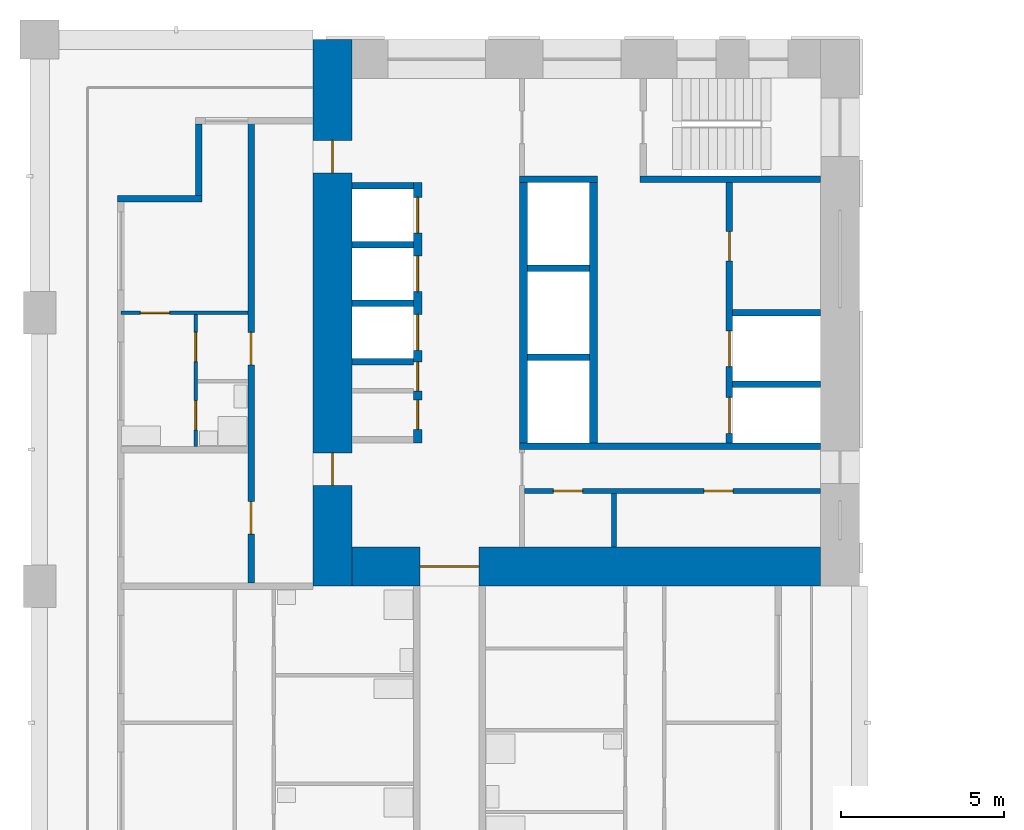
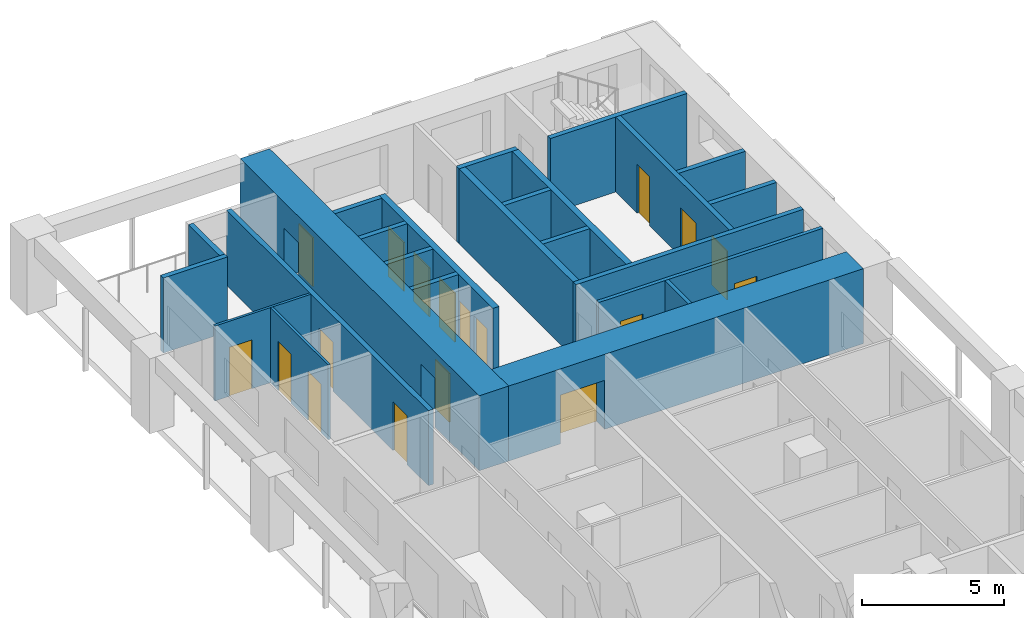
# One storey, part 7 of 16: 24 walls, 18 doors, 18 openings.
"""IFC4 building model written with IfcOpenShell, lengths in metres."""

from ifc_helpers import new_model, si_unit, direction, frame, frame_2d, origin, place, context, subcontext, project, spatial, rectangle, extrude, material, layer, layer_set, type_object, element, fill, save


model = new_model("IFC4")

# Units and contexts
model_context = context("Model", 3, precision=1e-05, world=origin(), true_north=direction((0.0, 1.0)))
body_context = subcontext(model_context, "Body", "Model", "MODEL_VIEW")
ifc_project = project(units=[si_unit("LENGTHUNIT", "METRE"), si_unit("AREAUNIT", "SQUARE_METRE"), si_unit("VOLUMEUNIT", "CUBIC_METRE"), si_unit("PLANEANGLEUNIT", "RADIAN"), si_unit("MASSUNIT", "GRAM", prefix="KILO")], contexts=[model_context])

# Site, building, storey
site_placement = place(None, origin())
site = spatial("IfcSite", under=ifc_project, at=site_placement, CompositionType="ELEMENT")
building_placement = place(site_placement, origin())
building = spatial("IfcBuilding", under=site, at=building_placement, Name="Vermilion Gate Residences", CompositionType="ELEMENT")
storey_placement = place(building_placement, frame((0.0, 0.0, 126.699951171875)))
storey = spatial("IfcBuildingStorey", under=building, at=storey_placement, Name="L32", CompositionType="ELEMENT", Elevation=126.699951171875)

# Wall
ifc_material_1 = material(Name="Masonry blockwork", Category="masonry")
ifc_layer_1 = layer(ifc_material_1, 0.14990234375)
ifc_layer_set_1 = layer_set([ifc_layer_1], Name="BLOCKWORK PARTITION 150 EI 120")
wall_type_1 = type_object("IfcWallType", Name="BLOCKWORK PARTITION 150 EI 120", PredefinedType="PARTITIONING", material=ifc_layer_set_1)
wall_1_placement = place(storey_placement, frame((17.659912109375, 44.85009765625, 0.0), z_axis=(0.0, 0.0, 1.0), x_axis=(0.0, -1.0, 0.0)))
element("IfcWall", 1, at=wall_1_placement, inside=storey, type_object=wall_type_1, Name="Core room partition B32-ES-P0", PredefinedType="PARTITIONING", context=body_context, shape_type="SweptSolid", body=[
    extrude(rectangle(XDim=1.650146484375, YDim=0.14990234375, at=frame_2d((0.8251953125, 0.0))), origin(), (0.0, 0.0, 1.0), 3.219970703125),
])

# Wall, openings, doors
wall_2_placement = place(storey_placement, frame((14.89990234375, 44.925048828125, 0.0), z_axis=(0.0, 0.0, 1.0), x_axis=(1.0, 0.0, 0.0)))
wall_2 = element("IfcWall", 2, at=wall_2_placement, inside=storey, type_object=wall_type_1, Name="Core room partition B32-ES-W", PredefinedType="PARTITIONING", context=body_context, shape_type="SweptSolid", body=[
    extrude(rectangle(XDim=9.10009765625, YDim=0.14990234375, at=frame_2d((4.550048828125, 0.0))), origin(), (0.0, 0.0, 1.0), 3.219970703125),
])
opening_1_placement = place(wall_2_placement, frame((0.892578125, 0.0, 0.0)))
opening_1 = element("IfcOpeningElement", 3, at=opening_1_placement, cuts=wall_2, Name="Opening DK32115", PredefinedType="OPENING", context=body_context, shape_type="SweptSolid", body=[
    extrude(rectangle(XDim=0.89990234375, YDim=2.10009765625, at=frame_2d((0.449951171875, 1.050048828125))), frame((0.0, 0.0849609375, 0.0), z_axis=(0.0, -1.0, 0.0), x_axis=(1.0, 0.0, 0.0)), (0.0, 0.0, 1.0), 0.169921875),
])
opening_2_placement = place(wall_2_placement, frame((5.517578125, 0.0, 0.0)))
opening_2 = element("IfcOpeningElement", 4, at=opening_2_placement, cuts=wall_2, Name="Opening DK32116", PredefinedType="OPENING", context=body_context, shape_type="SweptSolid", body=[
    extrude(rectangle(XDim=0.89990234375, YDim=2.10009765625, at=frame_2d((0.449951171875, 1.050048828125))), frame((0.0, 0.0849609375, 0.0), z_axis=(0.0, -1.0, 0.0), x_axis=(1.0, 0.0, 0.0)), (0.0, 0.0, 1.0), 0.169921875),
])
ifc_material_2 = material(Name="Steel", Category="steel")
door_type_1 = type_object("IfcDoorType", Name="SERVICE ROOM DOOR FD60 900 X 2100", OperationType="SINGLE_SWING_LEFT", PredefinedType="DOOR", material=ifc_material_2)
door_1_placement = place(opening_1_placement, frame((0.89990234375, 0.0, 0.0), z_axis=(0.0, 0.0, 1.0), x_axis=(-1.0, 0.0, 0.0)))
door_1 = element("IfcDoor", 5, at=door_1_placement, inside=storey, type_object=door_type_1, Name="Electrical room B32", OperationType="SINGLE_SWING_RIGHT", OverallHeight=2.10009765625, OverallWidth=0.89990234375, PredefinedType="DOOR", context=body_context, shape_type="SweptSolid", body=[
    extrude(rectangle(XDim=0.89990234375, YDim=2.10009765625, at=frame_2d((0.449951171875, 1.050048828125))), frame((0.0, 0.02490234375, 0.0), z_axis=(0.0, -1.0, 0.0), x_axis=(1.0, 0.0, 0.0)), (0.0, 0.0, 1.0), 0.050048828125),
])
fill(opening_1, door_1)
door_2_placement = place(opening_2_placement, frame((0.89990234375, 0.0, 0.0), z_axis=(0.0, 0.0, 1.0), x_axis=(-1.0, 0.0, 0.0)))
door_2 = element("IfcDoor", 6, at=door_2_placement, inside=storey, type_object=door_type_1, Name="Storage room B32", OperationType="SINGLE_SWING_LEFT", OverallHeight=2.10009765625, OverallWidth=0.89990234375, PredefinedType="DOOR", context=body_context, shape_type="SweptSolid", body=[
    extrude(rectangle(XDim=0.89990234375, YDim=2.10009765625, at=frame_2d((0.449951171875, 1.050048828125))), frame((0.0, 0.02490234375, 0.0), z_axis=(0.0, -1.0, 0.0), x_axis=(1.0, 0.0, 0.0)), (0.0, 0.0, 1.0), 0.050048828125),
])
fill(opening_2, door_2)

# Walls
ifc_material_3 = material(Name="Insulated steel stud wall with terracotta rainscreen", Category="masonry")
ifc_layer_2 = layer(ifc_material_3, 0.199951171875)
ifc_layer_set_2 = layer_set([ifc_layer_2], Name="EXTERNAL WALL 200 TERRACOTTA RAINSCREEN")
wall_type_2 = type_object("IfcWallType", Name="EXTERNAL WALL 200 TERRACOTTA RAINSCREEN", PredefinedType="SOLIDWALL", material=ifc_layer_set_2)
wall_3_placement = place(storey_placement, frame((4.89990234375, 56.199951171875, 0.0), z_axis=(0.0, 0.0, 1.0), x_axis=(0.0, -1.0, 0.0)))
element("IfcWall", 7, at=wall_3_placement, inside=storey, type_object=wall_type_2, Name="External wall", PredefinedType="SOLIDWALL", context=body_context, shape_type="SweptSolid", body=[
    extrude(rectangle(XDim=2.199951171875, YDim=0.199951171875, at=frame_2d((1.10009765625, 0.0))), origin(), (0.0, 0.0, 1.0), 3.219970703125),
])
wall_4_placement = place(storey_placement, frame((5.0, 53.89990234375, 0.0), z_axis=(0.0, 0.0, 1.0), x_axis=(-1.0, 0.0, 0.0)))
element("IfcWall", 8, at=wall_4_placement, inside=storey, type_object=wall_type_2, Name="External wall", PredefinedType="SOLIDWALL", context=body_context, shape_type="SweptSolid", body=[
    extrude(rectangle(XDim=2.60009765625, YDim=0.199951171875, at=frame_2d((1.300048828125, 0.0))), origin(), (0.0, 0.0, 1.0), 3.219970703125),
])

# Wall, opening, door
ifc_material_4 = material(Name="Plasterboard on steel studs", Category="steel")
ifc_layer_3 = layer(ifc_material_4, 0.10009765625)
ifc_layer_set_3 = layer_set([ifc_layer_3], Name="PARTITION 100")
wall_type_3 = type_object("IfcWallType", Name="PARTITION 100", PredefinedType="PARTITIONING", material=ifc_layer_set_3)
wall_5_placement = place(storey_placement, frame((2.5, 50.39990234375, 0.0), z_axis=(0.0, 0.0, 1.0), x_axis=(1.0, 0.0, 0.0)))
wall_5 = element("IfcWall", 9, at=wall_5_placement, inside=storey, type_object=wall_type_3, Name="Partition", PredefinedType="PARTITIONING", context=body_context, shape_type="SweptSolid", body=[
    extrude(rectangle(XDim=3.89990234375, YDim=0.10009765625, at=frame_2d((1.949951171875, 0.0))), origin(), (0.0, 0.0, 1.0), 3.219970703125),
])
opening_3_placement = place(wall_5_placement, frame((0.60009765625, 0.0, 0.0)))
opening_3 = element("IfcOpeningElement", 10, at=opening_3_placement, cuts=wall_5, Name="Opening DA32017", PredefinedType="OPENING", context=body_context, shape_type="SweptSolid", body=[
    extrude(rectangle(XDim=0.89990234375, YDim=2.10009765625, at=frame_2d((0.449951171875, 1.050048828125))), frame((0.0, 0.06005859375, 0.0), z_axis=(0.0, -1.0, 0.0), x_axis=(1.0, 0.0, 0.0)), (0.0, 0.0, 1.0), 0.1201171875),
])
ifc_material_5 = material(Name="Timber", Category="wood")
door_type_2 = type_object("IfcDoorType", Name="INTERIOR DOOR 900 X 2100", OperationType="SINGLE_SWING_LEFT", PredefinedType="DOOR", material=ifc_material_5)
door_3_placement = place(opening_3_placement, frame((0.89990234375, 0.0, 0.0), z_axis=(0.0, 0.0, 1.0), x_axis=(-1.0, 0.0, 0.0)))
door_3 = element("IfcDoor", 11, at=door_3_placement, inside=storey, type_object=door_type_2, Name="Interior door", OperationType="SINGLE_SWING_RIGHT", OverallHeight=2.10009765625, OverallWidth=0.89990234375, PredefinedType="DOOR", context=body_context, shape_type="SweptSolid", body=[
    extrude(rectangle(XDim=0.89990234375, YDim=2.10009765625, at=frame_2d((0.449951171875, 1.050048828125))), frame((0.0, 0.02490234375, 0.0), z_axis=(0.0, -1.0, 0.0), x_axis=(1.0, 0.0, 0.0)), (0.0, 0.0, 1.0), 0.050048828125),
])
fill(opening_3, door_3)

# Wall, openings, doors
wall_6_placement = place(storey_placement, frame((4.800048828125, 46.300048828125, 0.0), z_axis=(0.0, 0.0, 1.0), x_axis=(0.0, 1.0, 0.0)))
wall_6 = element("IfcWall", 12, at=wall_6_placement, inside=storey, type_object=wall_type_3, Name="Partition", PredefinedType="PARTITIONING", context=body_context, shape_type="SweptSolid", body=[
    extrude(rectangle(XDim=4.050048828125, YDim=0.10009765625, at=frame_2d((2.02490234375, 0.0))), origin(), (0.0, 0.0, 1.0), 3.219970703125),
])
opening_4_placement = place(wall_6_placement, frame((2.60009765625, 0.0, 0.0)))
opening_4 = element("IfcOpeningElement", 13, at=opening_4_placement, cuts=wall_6, Name="Opening DA32018", PredefinedType="OPENING", context=body_context, shape_type="SweptSolid", body=[
    extrude(rectangle(XDim=0.89990234375, YDim=2.10009765625, at=frame_2d((0.449951171875, 1.050048828125))), frame((0.0, 0.06005859375, 0.0), z_axis=(0.0, -1.0, 0.0), x_axis=(1.0, 0.0, 0.0)), (0.0, 0.0, 1.0), 0.1201171875),
])
opening_5_placement = place(wall_6_placement, frame((0.5, 0.0, 0.0)))
opening_5 = element("IfcOpeningElement", 14, at=opening_5_placement, cuts=wall_6, Name="Opening DA32019", PredefinedType="OPENING", context=body_context, shape_type="SweptSolid", body=[
    extrude(rectangle(XDim=0.89990234375, YDim=2.10009765625, at=frame_2d((0.449951171875, 1.050048828125))), frame((0.0, 0.06005859375, 0.0), z_axis=(0.0, -1.0, 0.0), x_axis=(1.0, 0.0, 0.0)), (0.0, 0.0, 1.0), 0.1201171875),
])
door_4_placement = place(opening_4_placement, origin())
door_4 = element("IfcDoor", 15, at=door_4_placement, inside=storey, type_object=door_type_2, Name="Interior door", OperationType="SINGLE_SWING_RIGHT", OverallHeight=2.10009765625, OverallWidth=0.89990234375, PredefinedType="DOOR", context=body_context, shape_type="SweptSolid", body=[
    extrude(rectangle(XDim=0.89990234375, YDim=2.10009765625, at=frame_2d((0.449951171875, 1.050048828125))), frame((0.0, 0.02490234375, 0.0), z_axis=(0.0, -1.0, 0.0), x_axis=(1.0, 0.0, 0.0)), (0.0, 0.0, 1.0), 0.050048828125),
])
fill(opening_4, door_4)
door_5_placement = place(opening_5_placement, frame((0.89990234375, 0.0, 0.0), z_axis=(0.0, 0.0, 1.0), x_axis=(-1.0, 0.0, 0.0)))
door_5 = element("IfcDoor", 16, at=door_5_placement, inside=storey, type_object=door_type_2, Name="Interior door", OperationType="SINGLE_SWING_RIGHT", OverallHeight=2.10009765625, OverallWidth=0.89990234375, PredefinedType="DOOR", context=body_context, shape_type="SweptSolid", body=[
    extrude(rectangle(XDim=0.89990234375, YDim=2.10009765625, at=frame_2d((0.449951171875, 1.050048828125))), frame((0.0, 0.02490234375, 0.0), z_axis=(0.0, -1.0, 0.0), x_axis=(1.0, 0.0, 0.0)), (0.0, 0.0, 1.0), 0.050048828125),
])
fill(opening_5, door_5)

ifc_material_6 = material(Name="Fire-rated plasterboard on steel studs", Category="steel")
ifc_layer_4 = layer(ifc_material_6, 0.199951171875)
ifc_layer_set_4 = layer_set([ifc_layer_4], Name="PARTY WALL 200 EI 120")
wall_type_4 = type_object("IfcWallType", Name="PARTY WALL 200 EI 120", PredefinedType="PARTITIONING", material=ifc_layer_set_4)
wall_7_placement = place(storey_placement, frame((6.5, 42.10009765625, 0.0), z_axis=(0.0, 0.0, 1.0), x_axis=(0.0, 1.0, 0.0)))
wall_7 = element("IfcWall", 17, at=wall_7_placement, inside=storey, type_object=wall_type_4, Name="Party and corridor wall", PredefinedType="PARTITIONING", context=body_context, shape_type="SweptSolid", body=[
    extrude(rectangle(XDim=14.199951171875, YDim=0.199951171875, at=frame_2d((7.10009765625, 0.0))), origin(), (0.0, 0.0, 1.0), 3.219970703125),
])
opening_6_placement = place(wall_7_placement, frame((1.5, 0.0, 0.0)))
opening_6 = element("IfcOpeningElement", 18, at=opening_6_placement, cuts=wall_7, Name="Opening DA32024", PredefinedType="OPENING", context=body_context, shape_type="SweptSolid", body=[
    extrude(rectangle(XDim=1.0, YDim=2.10009765625, at=frame_2d((0.5, 1.050048828125))), frame((0.0, 0.10986328125, 0.0), z_axis=(0.0, -1.0, 0.0), x_axis=(1.0, 0.0, 0.0)), (0.0, 0.0, 1.0), 0.219970703125),
])
opening_7_placement = place(wall_7_placement, frame((6.699951171875, 0.0, 0.0)))
opening_7 = element("IfcOpeningElement", 19, at=opening_7_placement, cuts=wall_7, Name="Opening DA32025", PredefinedType="OPENING", context=body_context, shape_type="SweptSolid", body=[
    extrude(rectangle(XDim=1.0, YDim=2.10009765625, at=frame_2d((0.5, 1.050048828125))), frame((0.0, 0.10986328125, 0.0), z_axis=(0.0, -1.0, 0.0), x_axis=(1.0, 0.0, 0.0)), (0.0, 0.0, 1.0), 0.219970703125),
])
ifc_material_7 = material(Name="Steel", Category="steel")
door_type_3 = type_object("IfcDoorType", Name="ENTRANCE DOOR 1000 X 2100 FD30", OperationType="SINGLE_SWING_LEFT", PredefinedType="DOOR", material=ifc_material_7)
door_6_placement = place(opening_6_placement, origin())
door_6 = element("IfcDoor", 20, at=door_6_placement, inside=storey, type_object=door_type_3, Name="Entrance door", OperationType="SINGLE_SWING_LEFT", OverallHeight=2.10009765625, OverallWidth=1.0, PredefinedType="DOOR", context=body_context, shape_type="SweptSolid", body=[
    extrude(rectangle(XDim=1.0, YDim=2.10009765625, at=frame_2d((0.5, 1.050048828125))), frame((0.0, 0.02490234375, 0.0), z_axis=(0.0, -1.0, 0.0), x_axis=(1.0, 0.0, 0.0)), (0.0, 0.0, 1.0), 0.050048828125),
])
fill(opening_6, door_6)
door_7_placement = place(opening_7_placement, origin())
door_7 = element("IfcDoor", 21, at=door_7_placement, inside=storey, type_object=door_type_3, Name="Entrance door", OperationType="SINGLE_SWING_LEFT", OverallHeight=2.10009765625, OverallWidth=1.0, PredefinedType="DOOR", context=body_context, shape_type="SweptSolid", body=[
    extrude(rectangle(XDim=1.0, YDim=2.10009765625, at=frame_2d((0.5, 1.050048828125))), frame((0.0, 0.02490234375, 0.0), z_axis=(0.0, -1.0, 0.0), x_axis=(1.0, 0.0, 0.0)), (0.0, 0.0, 1.0), 0.050048828125),
])
fill(opening_7, door_7)

# Walls
ifc_material_8 = material(Name="Concrete C60", Category="concrete")
ifc_layer_5 = layer(ifc_material_8, 0.199951171875)
ifc_layer_set_5 = layer_set([ifc_layer_5], Name="RC CORE INTERNAL WALL 200 C60")
wall_type_5 = type_object("IfcWallType", Name="RC CORE INTERNAL WALL 200 C60", PredefinedType="SHEAR", material=ifc_layer_set_5)
for number, where, z_axis, x_axis, name in (
    (22, (9.60009765625, 54.300048828125, 0.0), (0.0, 0.0, 1.0), (1.0, 0.0, 0.0), "Core internal wall B32-LR-D0"),
    (23, (9.60009765625, 52.5, 0.0), (0.0, 0.0, 1.0), (1.0, 0.0, 0.0), "Core internal wall B32-LR-D1"),
    (24, (9.60009765625, 50.699951171875, 0.0), (0.0, 0.0, 1.0), (1.0, 0.0, 0.0), "Core internal wall B32-LR-D2"),
    (25, (9.60009765625, 48.89990234375, 0.0), (0.0, 0.0, 1.0), (1.0, 0.0, 0.0), "Core internal wall B32-LR-D3"),
    (26, (15.0, 51.7666015625, 0.0), (0.0, 0.0, 1.0), (1.0, 0.0, 0.0), "Core internal wall B32-HR-D1"),
    (27, (15.0, 49.033447265625, 0.0), (0.0, 0.0, 1.0), (1.0, 0.0, 0.0), "Core internal wall B32-HR-D2"),
):
    element("IfcWall", number, at=place(storey_placement, frame(where, z_axis=z_axis, x_axis=x_axis)), inside=storey, type_object=wall_type_5, Name=name, PredefinedType="SHEAR", context=body_context, shape_type="SweptSolid", body=[
        extrude(rectangle(XDim=1.89990234375, YDim=0.199951171875, at=frame_2d((0.949951171875, 0.0))), origin(), (0.0, 0.0, 1.0), 3.219970703125),
    ])
for number, where, z_axis, x_axis, name in (
    (28, (21.300048828125, 50.39990234375, 0.0), (0.0, 0.0, 1.0), (1.0, 0.0, 0.0), "Core internal wall B32-FF-D0"),
    (29, (21.300048828125, 48.199951171875, 0.0), (0.0, 0.0, 1.0), (1.0, 0.0, 0.0), "Core internal wall B32-FF-D1"),
):
    element("IfcWall", number, at=place(storey_placement, frame(where, z_axis=z_axis, x_axis=x_axis)), inside=storey, type_object=wall_type_5, Name=name, PredefinedType="SHEAR", context=body_context, shape_type="SweptSolid", body=[
        extrude(rectangle(XDim=2.699951171875, YDim=0.199951171875, at=frame_2d((1.35009765625, 0.0))), origin(), (0.0, 0.0, 1.0), 3.219970703125),
    ])

# Wall, openings, doors
wall_8_placement = place(storey_placement, frame((21.199951171875, 54.39990234375, 0.0), z_axis=(0.0, 0.0, 1.0), x_axis=(0.0, -1.0, 0.0)))
wall_8 = element("IfcWall", 30, at=wall_8_placement, inside=storey, type_object=wall_type_5, Name="Core internal wall B32-FF-F", PredefinedType="SHEAR", context=body_context, shape_type="SweptSolid", body=[
    extrude(rectangle(XDim=8.0, YDim=0.199951171875, at=frame_2d((4.0, 0.0))), origin(), (0.0, 0.0, 1.0), 3.219970703125),
])
opening_8_placement = place(wall_8_placement, frame((1.5, 0.0, 0.0)))
opening_8 = element("IfcOpeningElement", 31, at=opening_8_placement, cuts=wall_8, Name="Opening DK32109", PredefinedType="OPENING", context=body_context, shape_type="SweptSolid", body=[
    extrude(rectangle(XDim=0.89990234375, YDim=2.10009765625, at=frame_2d((0.449951171875, 1.050048828125))), frame((0.0, 0.10986328125, 0.0), z_axis=(0.0, -1.0, 0.0), x_axis=(1.0, 0.0, 0.0)), (0.0, 0.0, 1.0), 0.219970703125),
])
opening_9_placement = place(wall_8_placement, frame((4.550048828125, 0.0, 0.0)))
opening_9 = element("IfcOpeningElement", 32, at=opening_9_placement, cuts=wall_8, Name="Opening LD", PredefinedType="OPENING", context=body_context, shape_type="SweptSolid", body=[
    extrude(rectangle(XDim=1.10009765625, YDim=2.10009765625, at=frame_2d((0.550048828125, 1.050048828125))), frame((0.0, 0.10986328125, 0.0), z_axis=(0.0, -1.0, 0.0), x_axis=(1.0, 0.0, 0.0)), (0.0, 0.0, 1.0), 0.219970703125),
])
opening_10_placement = place(wall_8_placement, frame((6.60009765625, 0.0, 0.0)))
opening_10 = element("IfcOpeningElement", 33, at=opening_10_placement, cuts=wall_8, Name="Opening LD", PredefinedType="OPENING", context=body_context, shape_type="SweptSolid", body=[
    extrude(rectangle(XDim=1.10009765625, YDim=2.10009765625, at=frame_2d((0.550048828125, 1.050048828125))), frame((0.0, 0.10986328125, 0.0), z_axis=(0.0, -1.0, 0.0), x_axis=(1.0, 0.0, 0.0)), (0.0, 0.0, 1.0), 0.219970703125),
])
ifc_material_9 = material(Name="Stainless steel", Category="steel")
door_type_4 = type_object("IfcDoorType", Name="LIFT LANDING DOOR E60 1100 X 2100", OperationType="DOUBLE_DOOR_SLIDING", PredefinedType="DOOR", material=ifc_material_9)
door_8_placement = place(opening_9_placement, origin())
door_8 = element("IfcDoor", 34, at=door_8_placement, inside=storey, type_object=door_type_4, Name="Lift landing door LFB1", OperationType="DOUBLE_DOOR_SLIDING", OverallHeight=2.10009765625, OverallWidth=1.10009765625, PredefinedType="DOOR", context=body_context, shape_type="SweptSolid", body=[
    extrude(rectangle(XDim=1.10009765625, YDim=2.10009765625, at=frame_2d((0.550048828125, 1.050048828125))), frame((0.0, 0.02490234375, 0.0), z_axis=(0.0, -1.0, 0.0), x_axis=(1.0, 0.0, 0.0)), (0.0, 0.0, 1.0), 0.050048828125),
])
fill(opening_9, door_8)
door_9_placement = place(opening_10_placement, origin())
door_9 = element("IfcDoor", 35, at=door_9_placement, inside=storey, type_object=door_type_4, Name="Lift landing door LCB1", OperationType="DOUBLE_DOOR_SLIDING", OverallHeight=2.10009765625, OverallWidth=1.10009765625, PredefinedType="DOOR", context=body_context, shape_type="SweptSolid", body=[
    extrude(rectangle(XDim=1.10009765625, YDim=2.10009765625, at=frame_2d((0.550048828125, 1.050048828125))), frame((0.0, 0.02490234375, 0.0), z_axis=(0.0, -1.0, 0.0), x_axis=(1.0, 0.0, 0.0)), (0.0, 0.0, 1.0), 0.050048828125),
])
fill(opening_10, door_9)
door_10_placement = place(opening_8_placement, origin())
door_10 = element("IfcDoor", 36, at=door_10_placement, inside=storey, type_object=door_type_1, Name="Parcel room B32", OperationType="SINGLE_SWING_LEFT", OverallHeight=2.10009765625, OverallWidth=0.89990234375, PredefinedType="DOOR", context=body_context, shape_type="SweptSolid", body=[
    extrude(rectangle(XDim=0.89990234375, YDim=2.10009765625, at=frame_2d((0.449951171875, 1.050048828125))), frame((0.0, 0.02490234375, 0.0), z_axis=(0.0, -1.0, 0.0), x_axis=(1.0, 0.0, 0.0)), (0.0, 0.0, 1.0), 0.050048828125),
])
fill(opening_8, door_10)

# Walls
wall_9_placement = place(storey_placement, frame((14.75, 54.5, 0.0), z_axis=(0.0, 0.0, 1.0), x_axis=(1.0, 0.0, 0.0)))
element("IfcWall", 37, at=wall_9_placement, inside=storey, type_object=wall_type_5, Name="Core internal wall B32-WDIV1", PredefinedType="SHEAR", context=body_context, shape_type="SweptSolid", body=[
    extrude(rectangle(XDim=2.39990234375, YDim=0.199951171875, at=frame_2d((1.199951171875, 0.0))), origin(), (0.0, 0.0, 1.0), 3.219970703125),
])
wall_10_placement = place(storey_placement, frame((18.449951171875, 54.5, 0.0), z_axis=(0.0, 0.0, 1.0), x_axis=(1.0, 0.0, 0.0)))
element("IfcWall", 38, at=wall_10_placement, inside=storey, type_object=wall_type_5, Name="Core internal wall B32-WDIV2", PredefinedType="SHEAR", context=body_context, shape_type="SweptSolid", body=[
    extrude(rectangle(XDim=5.550048828125, YDim=0.199951171875, at=frame_2d((2.77490234375, 0.0))), origin(), (0.0, 0.0, 1.0), 3.219970703125),
])
wall_11_placement = place(storey_placement, frame((14.75, 46.300048828125, 0.0), z_axis=(0.0, 0.0, 1.0), x_axis=(1.0, 0.0, 0.0)))
element("IfcWall", 39, at=wall_11_placement, inside=storey, type_object=wall_type_5, Name="Core internal wall B32-EDIV", PredefinedType="SHEAR", context=body_context, shape_type="SweptSolid", body=[
    extrude(rectangle(XDim=9.25, YDim=0.199951171875, at=frame_2d((4.625, 0.0))), origin(), (0.0, 0.0, 1.0), 3.219970703125),
])

# Wall, openings, doors
ifc_material_10 = material(Name="Concrete C70", Category="concrete")
ifc_layer_6 = layer(ifc_material_10, 1.199951171875)
ifc_layer_set_6 = layer_set([ifc_layer_6], Name="RC CORE WALL 1200 C70")
wall_type_6 = type_object("IfcWallType", Name="RC CORE WALL 1200 C70", PredefinedType="SHEAR", material=ifc_layer_set_6)
wall_12_placement = place(storey_placement, frame((9.0, 58.800048828125, 0.0), z_axis=(0.0, 0.0, 1.0), x_axis=(0.0, -1.0, 0.0)))
wall_12 = element("IfcWall", 40, at=wall_12_placement, inside=storey, type_object=wall_type_6, Name="Core wall B32-OUT-B0", PredefinedType="SHEAR", context=body_context, shape_type="SweptSolid", body=[
    extrude(rectangle(XDim=16.800048828125, YDim=1.199951171875, at=frame_2d((8.39990234375, 0.0))), origin(), (0.0, 0.0, 1.0), 3.219970703125),
])
opening_11_placement = place(wall_12_placement, frame((3.10009765625, 0.0, 0.0)))
opening_11 = element("IfcOpeningElement", 41, at=opening_11_placement, cuts=wall_12, Name="Opening DK32101", PredefinedType="OPENING", context=body_context, shape_type="SweptSolid", body=[
    extrude(rectangle(XDim=1.0, YDim=2.10009765625, at=frame_2d((0.5, 1.050048828125))), frame((0.0, 0.60986328125, 0.0), z_axis=(0.0, -1.0, 0.0), x_axis=(1.0, 0.0, 0.0)), (0.0, 0.0, 1.0), 1.219970703125),
])
opening_12_placement = place(wall_12_placement, frame((12.699951171875, 0.0, 0.0)))
opening_12 = element("IfcOpeningElement", 42, at=opening_12_placement, cuts=wall_12, Name="Opening DK32102", PredefinedType="OPENING", context=body_context, shape_type="SweptSolid", body=[
    extrude(rectangle(XDim=1.0, YDim=2.10009765625, at=frame_2d((0.5, 1.050048828125))), frame((0.0, 0.60986328125, 0.0), z_axis=(0.0, -1.0, 0.0), x_axis=(1.0, 0.0, 0.0)), (0.0, 0.0, 1.0), 1.219970703125),
])
ifc_material_11 = material(Name="Steel", Category="steel")
door_type_5 = type_object("IfcDoorType", Name="FIRE DOOR FD60 1000 X 2100", OperationType="SINGLE_SWING_LEFT", PredefinedType="DOOR", material=ifc_material_11)
door_11_placement = place(opening_11_placement, origin())
door_11 = element("IfcDoor", 43, at=door_11_placement, inside=storey, type_object=door_type_5, Name="Core lobby side door B32", OperationType="SINGLE_SWING_RIGHT", OverallHeight=2.10009765625, OverallWidth=1.0, PredefinedType="DOOR", context=body_context, shape_type="SweptSolid", body=[
    extrude(rectangle(XDim=1.0, YDim=2.10009765625, at=frame_2d((0.5, 1.050048828125))), frame((0.0, 0.02490234375, 0.0), z_axis=(0.0, -1.0, 0.0), x_axis=(1.0, 0.0, 0.0)), (0.0, 0.0, 1.0), 0.050048828125),
])
fill(opening_11, door_11)
door_12_placement = place(opening_12_placement, origin())
door_12 = element("IfcDoor", 44, at=door_12_placement, inside=storey, type_object=door_type_5, Name="Core lobby side door B32", OperationType="SINGLE_SWING_LEFT", OverallHeight=2.10009765625, OverallWidth=1.0, PredefinedType="DOOR", context=body_context, shape_type="SweptSolid", body=[
    extrude(rectangle(XDim=1.0, YDim=2.10009765625, at=frame_2d((0.5, 1.050048828125))), frame((0.0, 0.02490234375, 0.0), z_axis=(0.0, -1.0, 0.0), x_axis=(1.0, 0.0, 0.0)), (0.0, 0.0, 1.0), 0.050048828125),
])
fill(opening_12, door_12)

# Wall, opening, door
wall_13_placement = place(storey_placement, frame((9.60009765625, 42.60009765625, 0.0), z_axis=(0.0, 0.0, 1.0), x_axis=(1.0, 0.0, 0.0)))
wall_13 = element("IfcWall", 45, at=wall_13_placement, inside=storey, type_object=wall_type_6, Name="Core wall B32-OUT-BK", PredefinedType="SHEAR", context=body_context, shape_type="SweptSolid", body=[
    extrude(rectangle(XDim=14.39990234375, YDim=1.199951171875, at=frame_2d((7.199951171875, 0.0))), origin(), (0.0, 0.0, 1.0), 3.219970703125),
])
opening_13_placement = place(wall_13_placement, frame((2.10009765625, 0.0, 0.0)))
opening_13 = element("IfcOpeningElement", 46, at=opening_13_placement, cuts=wall_13, Name="Opening DK32103", PredefinedType="OPENING", context=body_context, shape_type="SweptSolid", body=[
    extrude(rectangle(XDim=1.800048828125, YDim=2.10009765625, at=frame_2d((0.89990234375, 1.050048828125))), frame((0.0, 0.60986328125, 0.0), z_axis=(0.0, -1.0, 0.0), x_axis=(1.0, 0.0, 0.0)), (0.0, 0.0, 1.0), 1.219970703125),
])
ifc_material_12 = material(Name="Steel", Category="steel")
door_type_6 = type_object("IfcDoorType", Name="CORE LOBBY DOOR FD60 1800 X 2100", OperationType="DOUBLE_DOOR_SINGLE_SWING", PredefinedType="DOOR", material=ifc_material_12)
door_13_placement = place(opening_13_placement, origin())
door_13 = element("IfcDoor", 47, at=door_13_placement, inside=storey, type_object=door_type_6, Name="Core lobby door B32", OperationType="DOUBLE_DOOR_SINGLE_SWING", OverallHeight=2.10009765625, OverallWidth=1.800048828125, PredefinedType="DOOR", context=body_context, shape_type="SweptSolid", body=[
    extrude(rectangle(XDim=1.800048828125, YDim=2.10009765625, at=frame_2d((0.89990234375, 1.050048828125))), frame((0.0, 0.02490234375, 0.0), z_axis=(0.0, -1.0, 0.0), x_axis=(1.0, 0.0, 0.0)), (0.0, 0.0, 1.0), 0.050048828125),
])
fill(opening_13, door_13)

# Wall, openings, doors
ifc_material_13 = material(Name="Concrete C60", Category="concrete")
ifc_layer_7 = layer(ifc_material_13, 0.25)
ifc_layer_set_7 = layer_set([ifc_layer_7], Name="RC LIFT SHAFT WALL 250 C60")
wall_type_7 = type_object("IfcWallType", Name="RC LIFT SHAFT WALL 250 C60", PredefinedType="SHEAR", material=ifc_layer_set_7)
wall_14_placement = place(storey_placement, frame((11.625, 54.39990234375, 0.0), z_axis=(0.0, 0.0, 1.0), x_axis=(0.0, -1.0, 0.0)))
wall_14 = element("IfcWall", 48, at=wall_14_placement, inside=storey, type_object=wall_type_7, Name="Lift shaft wall B32-LR-F", PredefinedType="SHEAR", context=body_context, shape_type="SweptSolid", body=[
    extrude(rectangle(XDim=8.0, YDim=0.25, at=frame_2d((4.0, 0.0))), origin(), (0.0, 0.0, 1.0), 3.219970703125),
])
opening_14_placement = place(wall_14_placement, frame((0.449951171875, 0.0, 0.0)))
opening_14 = element("IfcOpeningElement", 49, at=opening_14_placement, cuts=wall_14, Name="Opening LD", PredefinedType="OPENING", context=body_context, shape_type="SweptSolid", body=[
    extrude(rectangle(XDim=1.10009765625, YDim=2.10009765625, at=frame_2d((0.550048828125, 1.050048828125))), frame((0.0, 0.135009765625, 0.0), z_axis=(0.0, -1.0, 0.0), x_axis=(1.0, 0.0, 0.0)), (0.0, 0.0, 1.0), 0.27001953125),
])
opening_15_placement = place(wall_14_placement, frame((2.25, 0.0, 0.0)))
opening_15 = element("IfcOpeningElement", 50, at=opening_15_placement, cuts=wall_14, Name="Opening LD", PredefinedType="OPENING", context=body_context, shape_type="SweptSolid", body=[
    extrude(rectangle(XDim=1.10009765625, YDim=2.10009765625, at=frame_2d((0.550048828125, 1.050048828125))), frame((0.0, 0.135009765625, 0.0), z_axis=(0.0, -1.0, 0.0), x_axis=(1.0, 0.0, 0.0)), (0.0, 0.0, 1.0), 0.27001953125),
])
opening_16_placement = place(wall_14_placement, frame((4.050048828125, 0.0, 0.0)))
opening_16 = element("IfcOpeningElement", 51, at=opening_16_placement, cuts=wall_14, Name="Opening LD", PredefinedType="OPENING", context=body_context, shape_type="SweptSolid", body=[
    extrude(rectangle(XDim=1.10009765625, YDim=2.10009765625, at=frame_2d((0.550048828125, 1.050048828125))), frame((0.0, 0.135009765625, 0.0), z_axis=(0.0, -1.0, 0.0), x_axis=(1.0, 0.0, 0.0)), (0.0, 0.0, 1.0), 0.27001953125),
])
opening_17_placement = place(wall_14_placement, frame((5.5087890625, 0.0, 0.0)))
opening_17 = element("IfcOpeningElement", 52, at=opening_17_placement, cuts=wall_14, Name="Opening DK32107", PredefinedType="OPENING", context=body_context, shape_type="SweptSolid", body=[
    extrude(rectangle(XDim=0.89990234375, YDim=2.10009765625, at=frame_2d((0.449951171875, 1.050048828125))), frame((0.0, 0.135009765625, 0.0), z_axis=(0.0, -1.0, 0.0), x_axis=(1.0, 0.0, 0.0)), (0.0, 0.0, 1.0), 0.27001953125),
])
opening_18_placement = place(wall_14_placement, frame((6.683837890625, 0.0, 0.0)))
opening_18 = element("IfcOpeningElement", 53, at=opening_18_placement, cuts=wall_14, Name="Opening DK32108", PredefinedType="OPENING", context=body_context, shape_type="SweptSolid", body=[
    extrude(rectangle(XDim=0.89990234375, YDim=2.10009765625, at=frame_2d((0.449951171875, 1.050048828125))), frame((0.0, 0.135009765625, 0.0), z_axis=(0.0, -1.0, 0.0), x_axis=(1.0, 0.0, 0.0)), (0.0, 0.0, 1.0), 0.27001953125),
])
door_14_placement = place(opening_14_placement, origin())
door_14 = element("IfcDoor", 54, at=door_14_placement, inside=storey, type_object=door_type_4, Name="Lift landing door LRB1", OperationType="DOUBLE_DOOR_SLIDING", OverallHeight=2.10009765625, OverallWidth=1.10009765625, PredefinedType="DOOR", context=body_context, shape_type="SweptSolid", body=[
    extrude(rectangle(XDim=1.10009765625, YDim=2.10009765625, at=frame_2d((0.550048828125, 1.050048828125))), frame((0.0, 0.02490234375, 0.0), z_axis=(0.0, -1.0, 0.0), x_axis=(1.0, 0.0, 0.0)), (0.0, 0.0, 1.0), 0.050048828125),
])
fill(opening_14, door_14)
door_15_placement = place(opening_15_placement, origin())
door_15 = element("IfcDoor", 55, at=door_15_placement, inside=storey, type_object=door_type_4, Name="Lift landing door LRB2", OperationType="DOUBLE_DOOR_SLIDING", OverallHeight=2.10009765625, OverallWidth=1.10009765625, PredefinedType="DOOR", context=body_context, shape_type="SweptSolid", body=[
    extrude(rectangle(XDim=1.10009765625, YDim=2.10009765625, at=frame_2d((0.550048828125, 1.050048828125))), frame((0.0, 0.02490234375, 0.0), z_axis=(0.0, -1.0, 0.0), x_axis=(1.0, 0.0, 0.0)), (0.0, 0.0, 1.0), 0.050048828125),
])
fill(opening_15, door_15)
door_16_placement = place(opening_16_placement, origin())
door_16 = element("IfcDoor", 56, at=door_16_placement, inside=storey, type_object=door_type_4, Name="Lift landing door LRB3", OperationType="DOUBLE_DOOR_SLIDING", OverallHeight=2.10009765625, OverallWidth=1.10009765625, PredefinedType="DOOR", context=body_context, shape_type="SweptSolid", body=[
    extrude(rectangle(XDim=1.10009765625, YDim=2.10009765625, at=frame_2d((0.550048828125, 1.050048828125))), frame((0.0, 0.02490234375, 0.0), z_axis=(0.0, -1.0, 0.0), x_axis=(1.0, 0.0, 0.0)), (0.0, 0.0, 1.0), 0.050048828125),
])
fill(opening_16, door_16)
door_17_placement = place(opening_17_placement, origin())
door_17 = element("IfcDoor", 57, at=door_17_placement, inside=storey, type_object=door_type_1, Name="Fire equipment store B32", OperationType="SINGLE_SWING_LEFT", OverallHeight=2.10009765625, OverallWidth=0.89990234375, PredefinedType="DOOR", context=body_context, shape_type="SweptSolid", body=[
    extrude(rectangle(XDim=0.89990234375, YDim=2.10009765625, at=frame_2d((0.449951171875, 1.050048828125))), frame((0.0, 0.02490234375, 0.0), z_axis=(0.0, -1.0, 0.0), x_axis=(1.0, 0.0, 0.0)), (0.0, 0.0, 1.0), 0.050048828125),
])
fill(opening_17, door_17)
door_18_placement = place(opening_18_placement, frame((0.89990234375, 0.0, 0.0), z_axis=(0.0, 0.0, 1.0), x_axis=(-1.0, 0.0, 0.0)))
door_18 = element("IfcDoor", 58, at=door_18_placement, inside=storey, type_object=door_type_1, Name="Mail room B32", OperationType="SINGLE_SWING_RIGHT", OverallHeight=2.10009765625, OverallWidth=0.89990234375, PredefinedType="DOOR", context=body_context, shape_type="SweptSolid", body=[
    extrude(rectangle(XDim=0.89990234375, YDim=2.10009765625, at=frame_2d((0.449951171875, 1.050048828125))), frame((0.0, 0.02490234375, 0.0), z_axis=(0.0, -1.0, 0.0), x_axis=(1.0, 0.0, 0.0)), (0.0, 0.0, 1.0), 0.050048828125),
])
fill(opening_18, door_18)

# Walls
for number, where, z_axis, x_axis, name in (
    (59, (14.875, 54.39990234375, 0.0), (0.0, 0.0, 1.0), (0.0, -1.0, 0.0), "Lift shaft wall B32-HR-F"),
    (60, (17.02490234375, 54.39990234375, 0.0), (0.0, 0.0, 1.0), (0.0, -1.0, 0.0), "Lift shaft wall B32-HR-B"),
):
    element("IfcWall", number, at=place(storey_placement, frame(where, z_axis=z_axis, x_axis=x_axis)), inside=storey, type_object=wall_type_7, Name=name, PredefinedType="SHEAR", context=body_context, shape_type="SweptSolid", body=[
        extrude(rectangle(XDim=8.0, YDim=0.25, at=frame_2d((4.0, 0.0))), origin(), (0.0, 0.0, 1.0), 3.219970703125),
    ])

save(model, "model.ifc")
